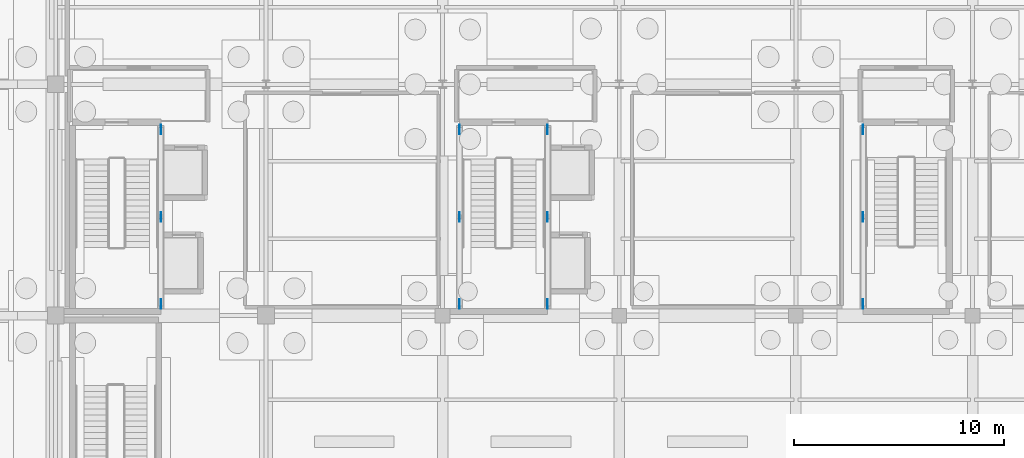
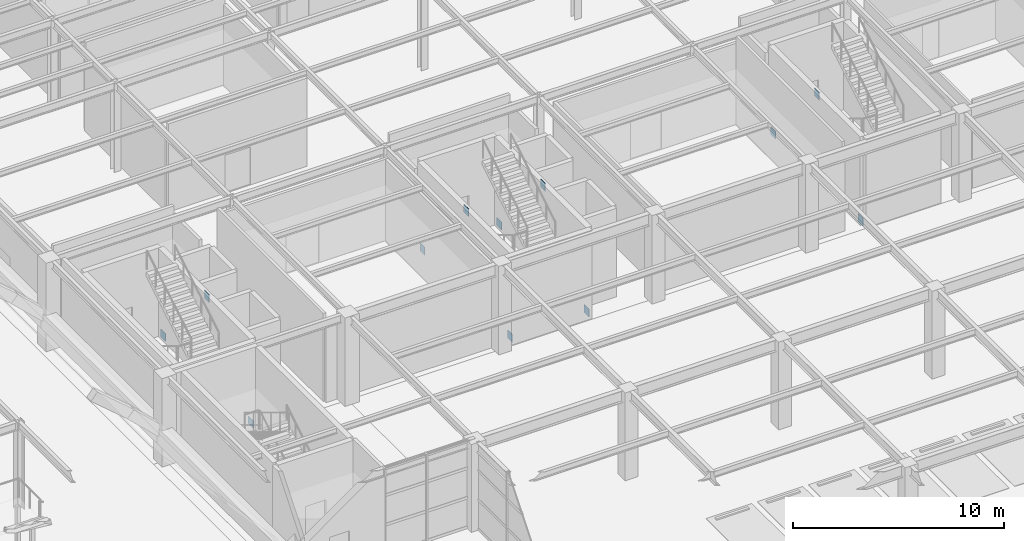
# One storey, part 97 of 129: 12 plates.
"""IFC4 building model written with IfcOpenShell, lengths in metres."""

from ifc_helpers import new_model, si_unit, direction, frame, origin, origin_2d, place, context, subcontext, project, spatial, rectangle, extrude, material, layer, layer_set, type_object, element, save


model = new_model("IFC4")

# Units and contexts
model_context = context("Model", 3, precision=1e-05, world=origin(), true_north=direction((0.0, 1.0)))
body_context = subcontext(model_context, "Body", "Model", "MODEL_VIEW")
ifc_project = project(units=[si_unit("LENGTHUNIT", "METRE"), si_unit("AREAUNIT", "SQUARE_METRE"), si_unit("VOLUMEUNIT", "CUBIC_METRE"), si_unit("PLANEANGLEUNIT", "RADIAN"), si_unit("MASSUNIT", "GRAM", prefix="KILO")], contexts=[model_context])

# Site, building, storey
site_placement = place(None, origin())
site = spatial("IfcSite", under=ifc_project, at=site_placement, CompositionType="ELEMENT")
building_placement = place(site_placement, origin())
building = spatial("IfcBuilding", under=site, at=building_placement, Name="Sitalva Quay Ferry Terminal", CompositionType="ELEMENT")
storey_placement = place(building_placement, origin())
storey = spatial("IfcBuildingStorey", under=building, at=storey_placement, Name="L01", CompositionType="ELEMENT", Elevation=0.0)

# Plates
ifc_material = material(Name="Structural Steel S355JR", Category="steel")
ifc_layer = layer(ifc_material, 0.02392578125)
ifc_layer_set = layer_set([ifc_layer], Name="Structural Steel S355JR")
plate_type = type_object("IfcPlateType", Name="Gusset_450x450x24", PredefinedType="USERDEFINED", material=ifc_layer_set)
for number, where, z_axis, x_axis, name in (
    (1, (79.0, 82.699951171875, 4.6748046875), (0.0, 0.0, 1.0), (1.0, 0.0, 0.0), "Braced frame BF2 L01 APEX gusset"),
    (2, (79.0, 78.550048828125, -0.0751953125), (0.0, 0.0, 1.0), (1.0, 0.0, 0.0), "Braced frame BF2 L01 BASE-A gusset"),
    (3, (79.0, 86.85009765625, -0.0751953125), (0.0, 0.0, 1.0), (1.0, 0.0, 0.0), "Braced frame BF2 L01 BASE-B gusset"),
    (4, (97.39990234375, 82.699951171875, 4.6748046875), (0.0, 0.0, 1.0), (1.0, 0.0, 0.0), "Braced frame BF3 L01 APEX gusset"),
    (5, (97.39990234375, 78.550048828125, -0.0751953125), (0.0, 0.0, 1.0), (1.0, 0.0, 0.0), "Braced frame BF3 L01 BASE-A gusset"),
    (6, (97.39990234375, 86.85009765625, -0.0751953125), (0.0, 0.0, 1.0), (1.0, 0.0, 0.0), "Braced frame BF3 L01 BASE-B gusset"),
    (7, (112.39990234375, 82.699951171875, 4.6748046875), (0.0, 0.0, 1.0), (1.0, 0.0, 0.0), "Braced frame BF5 L01 APEX gusset"),
    (8, (112.39990234375, 78.550048828125, -0.0751953125), (0.0, 0.0, 1.0), (1.0, 0.0, 0.0), "Braced frame BF5 L01 BASE-A gusset"),
    (9, (112.39990234375, 86.85009765625, -0.0751953125), (0.0, 0.0, 1.0), (1.0, 0.0, 0.0), "Braced frame BF5 L01 BASE-B gusset"),
    (10, (93.199951171875, 82.699951171875, 4.6748046875), (0.0, 0.0, 1.0), (1.0, 0.0, 0.0), "Braced frame BF6 L01 APEX gusset"),
    (11, (93.199951171875, 78.550048828125, -0.0751953125), (0.0, 0.0, 1.0), (1.0, 0.0, 0.0), "Braced frame BF6 L01 BASE-A gusset"),
    (12, (93.199951171875, 86.85009765625, -0.0751953125), (0.0, 0.0, 1.0), (1.0, 0.0, 0.0), "Braced frame BF6 L01 BASE-B gusset"),
):
    element("IfcPlate", number, at=place(storey_placement, frame(where, z_axis=z_axis, x_axis=x_axis)), inside=storey, type_object=plate_type, Name=name, ObjectType="FLANGE_PLATE", PredefinedType="USERDEFINED", context=body_context, shape_type="SweptSolid", body=[
        extrude(rectangle(XDim=0.02392578125, YDim=0.449951171875, at=origin_2d()), origin(), (0.0, 0.0, 1.0), 0.449951171875),
    ])

save(model, "model.ifc")
